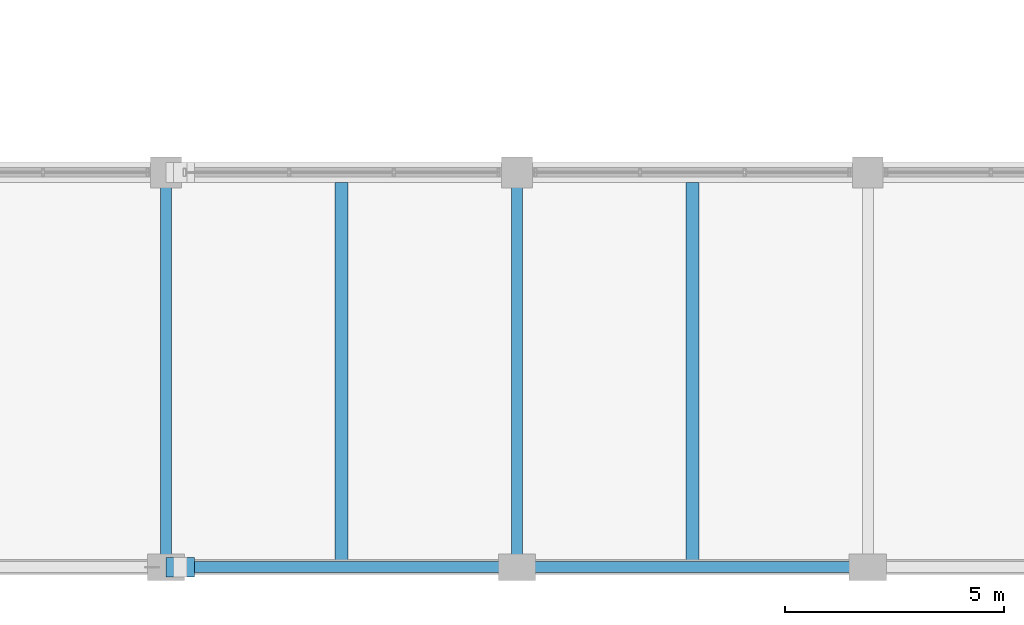
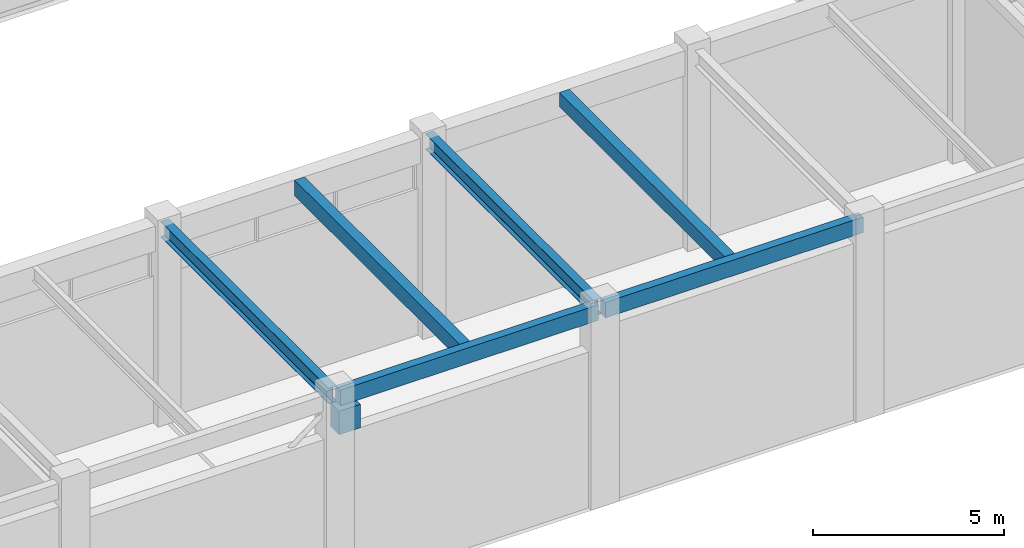
# One storey, part 31 of 163: 7 beams.
"""IFC4 building model written with IfcOpenShell, lengths in metres."""

from ifc_helpers import new_model, si_unit, direction, frame, origin, origin_2d, place, context, subcontext, project, spatial, rectangle, i_section, extrude, material, material_profile, profile_set, type_object, element, save


model = new_model("IFC4")

# Units and contexts
model_context = context("Model", 3, precision=1e-05, world=origin(), true_north=direction((0.0, 1.0)))
body_context = subcontext(model_context, "Body", "Model", "MODEL_VIEW")
ifc_project = project(units=[si_unit("LENGTHUNIT", "METRE"), si_unit("AREAUNIT", "SQUARE_METRE"), si_unit("VOLUMEUNIT", "CUBIC_METRE"), si_unit("PLANEANGLEUNIT", "RADIAN"), si_unit("MASSUNIT", "GRAM", prefix="KILO")], contexts=[model_context])

# Site, building, storey
site_placement = place(None, origin())
site = spatial("IfcSite", under=ifc_project, at=site_placement, CompositionType="ELEMENT")
building_placement = place(site_placement, origin())
building = spatial("IfcBuilding", under=site, at=building_placement, Name="Varnabhumi Central Station", CompositionType="ELEMENT")
storey_placement = place(building_placement, frame((0.0, 0.0, 9.60009765625)))
storey = spatial("IfcBuildingStorey", under=building, at=storey_placement, Name="L02", CompositionType="ELEMENT", Elevation=9.60009765625)

# Beams
ifc_material_1 = material(Name="Concrete M40", Category="concrete")
ifc_material_profile_1 = material_profile(ifc_material_1, rectangle(XDim=0.25, YDim=0.5, at=origin_2d()), Name="Concrete M40", Category="concrete")
ifc_profile_set_1 = profile_set([ifc_material_profile_1], Name="Concrete M40")
beam_type_1 = type_object("IfcBeamType", Name="BM-RC-250x500", PredefinedType="SPANDREL", material=ifc_profile_set_1)
for number, where, z_axis, x_axis, name in (
    (1, (120.10009765625, 0.0, 6.099853515625), (1.0, 0.0, 0.0), (0.0, 1.0, 0.0), "Beam L02-A:16-17"),
    (2, (128.10009765625, 0.0, 6.099853515625), (1.0, 0.0, 0.0), (0.0, 1.0, 0.0), "Beam L02-A:17-18"),
):
    element("IfcBeam", number, at=place(storey_placement, frame(where, z_axis=z_axis, x_axis=x_axis)), inside=storey, type_object=beam_type_1, Name=name, PredefinedType="SPANDREL", context=body_context, shape_type="SweptSolid", body=[
        extrude(rectangle(XDim=0.25, YDim=0.5, at=origin_2d()), origin(), (0.0, 0.0, 1.0), 7.7998046875),
    ])
ifc_material_profile_2 = material_profile(ifc_material_1, rectangle(XDim=0.300048828125, YDim=0.449951171875, at=origin_2d()), Name="Concrete M40", Category="concrete")
ifc_profile_set_2 = profile_set([ifc_material_profile_2], Name="Concrete M40")
beam_type_2 = type_object("IfcBeamType", Name="BM-RC-300x450", PredefinedType="JOIST", material=ifc_profile_set_2)
beam_1_placement = place(storey_placement, frame((132.0, 0.125, 6.125), z_axis=(0.0, 1.0, 0.0), x_axis=(-1.0, 0.0, 0.0)))
element("IfcBeam", 3, at=beam_1_placement, inside=storey, type_object=beam_type_2, Name="Secondary Joist L02-17/18:A-B", PredefinedType="JOIST", context=body_context, shape_type="SweptSolid", body=[
    extrude(rectangle(XDim=0.300048828125, YDim=0.449951171875, at=origin_2d()), origin(), (0.0, 0.0, 1.0), 8.64990234375),
])
ifc_material_profile_3 = material_profile(ifc_material_1, rectangle(XDim=0.300048828125, YDim=0.5, at=origin_2d()), Name="Concrete M40", Category="concrete")
ifc_profile_set_3 = profile_set([ifc_material_profile_3], Name="Concrete M40")
beam_type_3 = type_object("IfcBeamType", Name="BM-RC-300x500", PredefinedType="JOIST", material=ifc_profile_set_3)
beam_2_placement = place(storey_placement, frame((124.0, 0.125, 6.099853515625), z_axis=(0.0, 1.0, 0.0), x_axis=(-1.0, 0.0, 0.0)))
element("IfcBeam", 4, at=beam_2_placement, inside=storey, type_object=beam_type_3, Name="Secondary Joist L02-16/17:A-B", PredefinedType="JOIST", context=body_context, shape_type="SweptSolid", body=[
    extrude(rectangle(XDim=0.300048828125, YDim=0.5, at=origin_2d()), origin(), (0.0, 0.0, 1.0), 8.64990234375),
])
ifc_material_profile_4 = material_profile(ifc_material_1, rectangle(XDim=0.449951171875, YDim=0.75, at=origin_2d()), Name="Concrete M40", Category="concrete")
ifc_profile_set_4 = profile_set([ifc_material_profile_4], Name="Concrete M40")
beam_type_4 = type_object("IfcBeamType", Name="BM-RC-450x750", PredefinedType="BEAM", material=ifc_profile_set_4)
beam_3_placement = place(storey_placement, frame((120.0, 0.0, 5.39501953125), z_axis=(1.0, 0.0, 0.0), x_axis=(0.0, 1.0, 0.0)))
element("IfcBeam", 5, at=beam_3_placement, inside=storey, type_object=beam_type_4, Name="Movement Joint 650mm Corbel Seat L02-A-16", PredefinedType="BEAM", context=body_context, shape_type="SweptSolid", body=[
    extrude(rectangle(XDim=0.449951171875, YDim=0.75, at=origin_2d()), origin(), (0.0, 0.0, 1.0), 0.64990234375),
])
ifc_material_2 = material(Name="Structural steel E350", Category="steel")
ifc_material_profile_5 = material_profile(ifc_material_2, i_section(OverallWidth=0.25, OverallDepth=0.5, WebThickness=0.010009765625, FlangeThickness=0.0146484375, FilletRadius=0.014892578125, at=origin_2d()), Name="Structural steel E350", Category="steel")
ifc_profile_set_5 = profile_set([ifc_material_profile_5], Name="Structural steel E350")
beam_type_5 = type_object("IfcBeamType", Name="BM-SEC-ISWB500", PredefinedType="BEAM", material=ifc_profile_set_5)
for number, where, z_axis, x_axis, name in (
    (6, (120.0, 0.10009765625, 6.099853515625), (0.0, 1.0, 0.0), (-1.0, 0.0, 0.0), "Beam L02-16:A-B"),
    (7, (128.0, 0.10009765625, 6.099853515625), (0.0, 1.0, 0.0), (-1.0, 0.0, 0.0), "Beam L02-17:A-B"),
):
    element("IfcBeam", number, at=place(storey_placement, frame(where, z_axis=z_axis, x_axis=x_axis)), inside=storey, type_object=beam_type_5, Name=name, PredefinedType="BEAM", context=body_context, shape_type="SweptSolid", body=[
        extrude(i_section(OverallWidth=0.25, OverallDepth=0.5, WebThickness=0.010009765625, FlangeThickness=0.0146484375, FilletRadius=0.014892578125, at=origin_2d()), origin(), (0.0, 0.0, 1.0), 8.7998046875),
    ])

save(model, "model.ifc")
